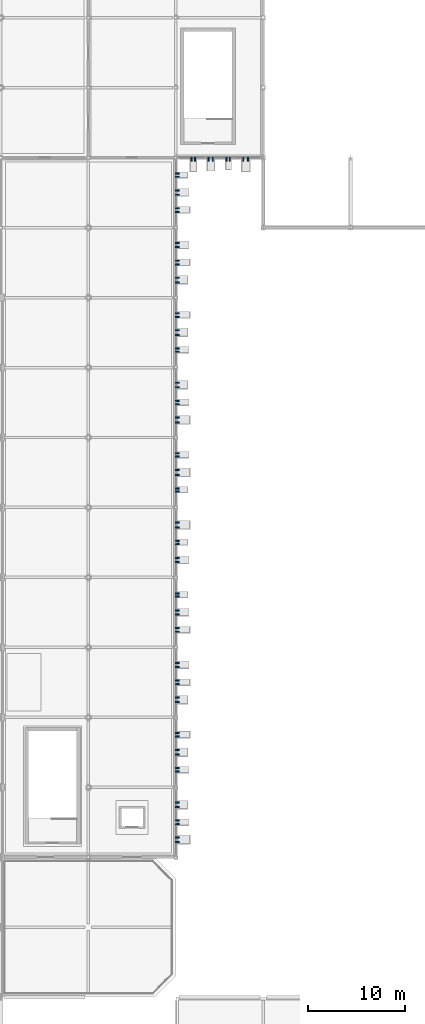
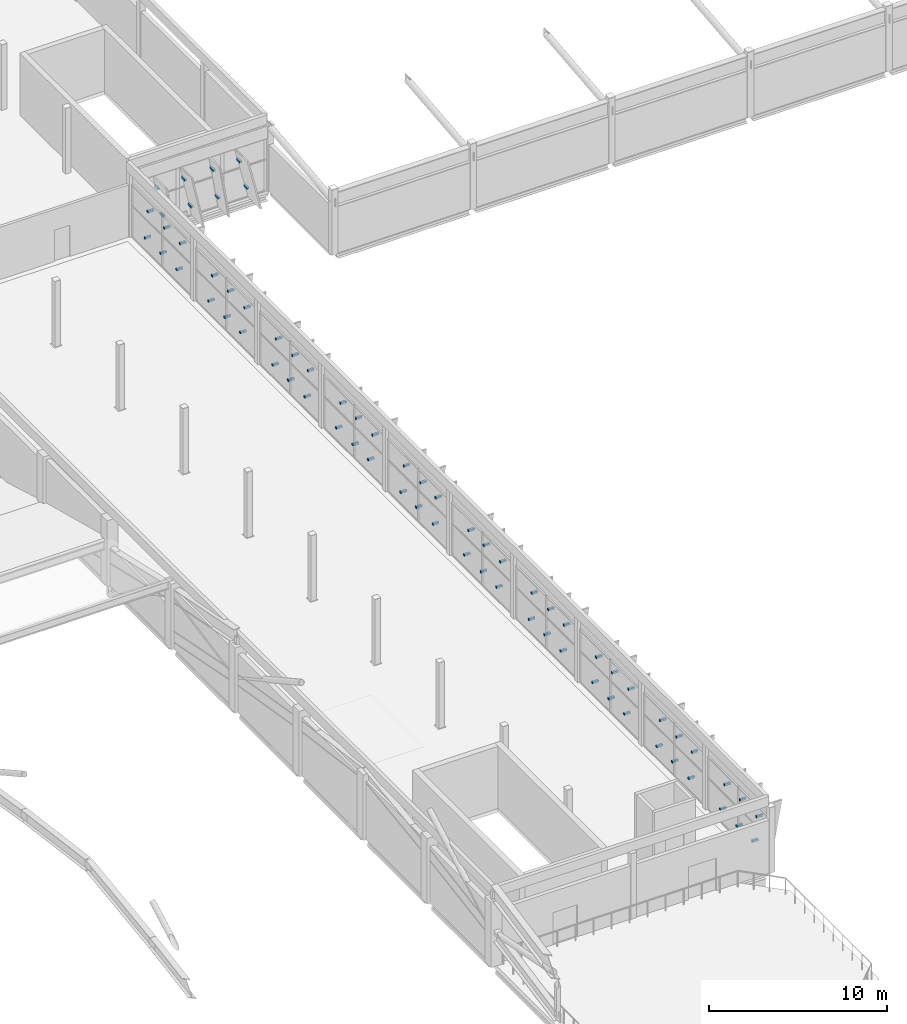
# One storey, part 110 of 124: 68 discrete accessories.
"""IFC4 building model written with IfcOpenShell, lengths in metres."""

from ifc_helpers import new_model, si_unit, direction, frame, origin, origin_2d, place, context, subcontext, project, spatial, rectangle, extrude, material, type_object, element, save


model = new_model("IFC4")

# Units and contexts
model_context = context("Model", 3, precision=1e-05, world=origin(), true_north=direction((0.0, 1.0)))
body_context = subcontext(model_context, "Body", "Model", "MODEL_VIEW")
ifc_project = project(units=[si_unit("LENGTHUNIT", "METRE"), si_unit("AREAUNIT", "SQUARE_METRE"), si_unit("VOLUMEUNIT", "CUBIC_METRE"), si_unit("PLANEANGLEUNIT", "RADIAN"), si_unit("MASSUNIT", "GRAM", prefix="KILO")], contexts=[model_context])

# Site, building, storey
site_placement = place(None, origin())
site = spatial("IfcSite", under=ifc_project, at=site_placement, CompositionType="ELEMENT")
building_placement = place(site_placement, origin())
building = spatial("IfcBuilding", under=site, at=building_placement, Name="Celestram Park Convention Centre", CompositionType="ELEMENT")
storey_placement = place(building_placement, frame((0.0, 0.0, 15.300048828125)))
storey = spatial("IfcBuildingStorey", under=building, at=storey_placement, Name="L03", CompositionType="ELEMENT", Elevation=15.300048828125)

# Discrete accessories
ifc_material = material(Name="Steel ASTM A500 Grade C", Category="steel")
discrete_accessory_type = type_object("IfcDiscreteAccessoryType", Name="ARC-BRK-OUT400", PredefinedType="BRACKET", material=ifc_material)
for number, where, z_axis, x_axis, name in (
    (1, (151.430419921875, 122.25, 0.7646484375), (0.0, 0.0, 1.0), (0.0, -1.0, 0.0), "Solar fin outrigger bracket BK-L03-1377"),
    (2, (150.944580078125, 122.25, 2.7431640625), (0.0, 0.0, 1.0), (0.0, -1.0, 0.0), "Solar fin outrigger bracket BK-L03-1378"),
    (3, (149.55029296875, 122.25, 0.74853515625), (0.0, 0.0, 1.0), (0.0, -1.0, 0.0), "Solar fin outrigger bracket BK-L03-1379"),
    (4, (149.224609375, 122.25, 2.75927734375), (0.0, 0.0, 1.0), (0.0, -1.0, 0.0), "Solar fin outrigger bracket BK-L03-1380"),
    (5, (147.801025390625, 122.25, 0.7578125), (0.0, 0.0, 1.0), (0.0, -1.0, 0.0), "Solar fin outrigger bracket BK-L03-1381"),
    (6, (147.3740234375, 122.25, 2.75), (0.0, 0.0, 1.0), (0.0, -1.0, 0.0), "Solar fin outrigger bracket BK-L03-1382"),
    (7, (145.971435546875, 122.25, 0.751953125), (0.0, 0.0, 1.0), (0.0, -1.0, 0.0), "Solar fin outrigger bracket BK-L03-1383"),
    (8, (145.603515625, 122.25, 2.755859375), (0.0, 0.0, 1.0), (0.0, -1.0, 0.0), "Solar fin outrigger bracket BK-L03-1384"),
    (9, (144.14990234375, 120.762939453125, 0.74853515625), (0.0, 0.0, 1.0), (1.0, 0.0, 0.0), "Solar fin outrigger bracket BK-L03-1385"),
    (10, (144.14990234375, 120.43701171875, 2.75927734375), (0.0, 0.0, 1.0), (1.0, 0.0, 0.0), "Solar fin outrigger bracket BK-L03-1386"),
    (11, (144.14990234375, 119.013427734375, 0.7578125), (0.0, 0.0, 1.0), (1.0, 0.0, 0.0), "Solar fin outrigger bracket BK-L03-1387"),
    (12, (144.14990234375, 118.58642578125, 2.75), (0.0, 0.0, 1.0), (1.0, 0.0, 0.0), "Solar fin outrigger bracket BK-L03-1388"),
    (13, (144.14990234375, 117.183837890625, 0.751953125), (0.0, 0.0, 1.0), (1.0, 0.0, 0.0), "Solar fin outrigger bracket BK-L03-1389"),
    (14, (144.14990234375, 116.816162109375, 2.755859375), (0.0, 0.0, 1.0), (1.0, 0.0, 0.0), "Solar fin outrigger bracket BK-L03-1390"),
    (15, (144.14990234375, 113.613525390625, 0.7578125), (0.0, 0.0, 1.0), (1.0, 0.0, 0.0), "Solar fin outrigger bracket BK-L03-1391"),
    (16, (144.14990234375, 113.1865234375, 2.75), (0.0, 0.0, 1.0), (1.0, 0.0, 0.0), "Solar fin outrigger bracket BK-L03-1392"),
    (17, (144.14990234375, 111.783935546875, 0.751953125), (0.0, 0.0, 1.0), (1.0, 0.0, 0.0), "Solar fin outrigger bracket BK-L03-1393"),
    (18, (144.14990234375, 111.416015625, 2.755859375), (0.0, 0.0, 1.0), (1.0, 0.0, 0.0), "Solar fin outrigger bracket BK-L03-1394"),
    (19, (144.14990234375, 110.0361328125, 0.76318359375), (0.0, 0.0, 1.0), (1.0, 0.0, 0.0), "Solar fin outrigger bracket BK-L03-1395"),
    (20, (144.14990234375, 109.56396484375, 2.7451171875), (0.0, 0.0, 1.0), (1.0, 0.0, 0.0), "Solar fin outrigger bracket BK-L03-1396"),
    (21, (144.14990234375, 106.3837890625, 0.751953125), (0.0, 0.0, 1.0), (1.0, 0.0, 0.0), "Solar fin outrigger bracket BK-L03-1397"),
    (22, (144.14990234375, 106.01611328125, 2.755859375), (0.0, 0.0, 1.0), (1.0, 0.0, 0.0), "Solar fin outrigger bracket BK-L03-1398"),
    (23, (144.14990234375, 104.635986328125, 0.76318359375), (0.0, 0.0, 1.0), (1.0, 0.0, 0.0), "Solar fin outrigger bracket BK-L03-1399"),
    (24, (144.14990234375, 104.163818359375, 2.7451171875), (0.0, 0.0, 1.0), (1.0, 0.0, 0.0), "Solar fin outrigger bracket BK-L03-1400"),
    (25, (144.14990234375, 102.7734375, 0.75), (0.0, 0.0, 1.0), (1.0, 0.0, 0.0), "Solar fin outrigger bracket BK-L03-1401"),
    (26, (144.14990234375, 102.426513671875, 2.7578125), (0.0, 0.0, 1.0), (1.0, 0.0, 0.0), "Solar fin outrigger bracket BK-L03-1402"),
    (27, (144.14990234375, 99.236083984375, 0.76318359375), (0.0, 0.0, 1.0), (1.0, 0.0, 0.0), "Solar fin outrigger bracket BK-L03-1403"),
    (28, (144.14990234375, 98.763916015625, 2.7451171875), (0.0, 0.0, 1.0), (1.0, 0.0, 0.0), "Solar fin outrigger bracket BK-L03-1404"),
    (29, (144.14990234375, 97.373291015625, 0.75), (0.0, 0.0, 1.0), (1.0, 0.0, 0.0), "Solar fin outrigger bracket BK-L03-1405"),
    (30, (144.14990234375, 97.026611328125, 2.7578125), (0.0, 0.0, 1.0), (1.0, 0.0, 0.0), "Solar fin outrigger bracket BK-L03-1406"),
    (31, (144.14990234375, 95.64306640625, 0.7646484375), (0.0, 0.0, 1.0), (1.0, 0.0, 0.0), "Solar fin outrigger bracket BK-L03-1407"),
    (32, (144.14990234375, 95.156982421875, 2.7431640625), (0.0, 0.0, 1.0), (1.0, 0.0, 0.0), "Solar fin outrigger bracket BK-L03-1408"),
    (33, (144.14990234375, 91.973388671875, 0.75), (0.0, 0.0, 1.0), (1.0, 0.0, 0.0), "Solar fin outrigger bracket BK-L03-1409"),
    (34, (144.14990234375, 91.626708984375, 2.7578125), (0.0, 0.0, 1.0), (1.0, 0.0, 0.0), "Solar fin outrigger bracket BK-L03-1410"),
    (35, (144.14990234375, 90.242919921875, 0.7646484375), (0.0, 0.0, 1.0), (1.0, 0.0, 0.0), "Solar fin outrigger bracket BK-L03-1411"),
    (36, (144.14990234375, 89.757080078125, 2.7431640625), (0.0, 0.0, 1.0), (1.0, 0.0, 0.0), "Solar fin outrigger bracket BK-L03-1412"),
    (37, (144.14990234375, 88.36279296875, 0.74853515625), (0.0, 0.0, 1.0), (1.0, 0.0, 0.0), "Solar fin outrigger bracket BK-L03-1413"),
    (38, (144.14990234375, 88.037109375, 2.75927734375), (0.0, 0.0, 1.0), (1.0, 0.0, 0.0), "Solar fin outrigger bracket BK-L03-1414"),
    (39, (144.14990234375, 84.843017578125, 0.7646484375), (0.0, 0.0, 1.0), (1.0, 0.0, 0.0), "Solar fin outrigger bracket BK-L03-1415"),
    (40, (144.14990234375, 84.35693359375, 2.7431640625), (0.0, 0.0, 1.0), (1.0, 0.0, 0.0), "Solar fin outrigger bracket BK-L03-1416"),
    (41, (144.14990234375, 82.962890625, 0.74853515625), (0.0, 0.0, 1.0), (1.0, 0.0, 0.0), "Solar fin outrigger bracket BK-L03-1417"),
    (42, (144.14990234375, 82.63720703125, 2.75927734375), (0.0, 0.0, 1.0), (1.0, 0.0, 0.0), "Solar fin outrigger bracket BK-L03-1418"),
    (43, (144.14990234375, 81.21337890625, 0.7578125), (0.0, 0.0, 1.0), (1.0, 0.0, 0.0), "Solar fin outrigger bracket BK-L03-1419"),
    (44, (144.14990234375, 80.78662109375, 2.75), (0.0, 0.0, 1.0), (1.0, 0.0, 0.0), "Solar fin outrigger bracket BK-L03-1420"),
    (45, (144.14990234375, 77.56298828125, 0.74853515625), (0.0, 0.0, 1.0), (1.0, 0.0, 0.0), "Solar fin outrigger bracket BK-L03-1421"),
    (46, (144.14990234375, 77.237060546875, 2.75927734375), (0.0, 0.0, 1.0), (1.0, 0.0, 0.0), "Solar fin outrigger bracket BK-L03-1422"),
    (47, (144.14990234375, 75.8134765625, 0.7578125), (0.0, 0.0, 1.0), (1.0, 0.0, 0.0), "Solar fin outrigger bracket BK-L03-1423"),
    (48, (144.14990234375, 75.386474609375, 2.75), (0.0, 0.0, 1.0), (1.0, 0.0, 0.0), "Solar fin outrigger bracket BK-L03-1424"),
    (49, (144.14990234375, 73.98388671875, 0.751953125), (0.0, 0.0, 1.0), (1.0, 0.0, 0.0), "Solar fin outrigger bracket BK-L03-1425"),
    (50, (144.14990234375, 73.6162109375, 2.755859375), (0.0, 0.0, 1.0), (1.0, 0.0, 0.0), "Solar fin outrigger bracket BK-L03-1426"),
    (51, (144.14990234375, 70.41357421875, 0.7578125), (0.0, 0.0, 1.0), (1.0, 0.0, 0.0), "Solar fin outrigger bracket BK-L03-1427"),
    (52, (144.14990234375, 69.986572265625, 2.75), (0.0, 0.0, 1.0), (1.0, 0.0, 0.0), "Solar fin outrigger bracket BK-L03-1428"),
    (53, (144.14990234375, 68.583984375, 0.751953125), (0.0, 0.0, 1.0), (1.0, 0.0, 0.0), "Solar fin outrigger bracket BK-L03-1429"),
    (54, (144.14990234375, 68.216064453125, 2.755859375), (0.0, 0.0, 1.0), (1.0, 0.0, 0.0), "Solar fin outrigger bracket BK-L03-1430"),
    (55, (144.14990234375, 66.836181640625, 0.76318359375), (0.0, 0.0, 1.0), (1.0, 0.0, 0.0), "Solar fin outrigger bracket BK-L03-1431"),
    (56, (144.14990234375, 66.364013671875, 2.7451171875), (0.0, 0.0, 1.0), (1.0, 0.0, 0.0), "Solar fin outrigger bracket BK-L03-1432"),
    (57, (144.14990234375, 63.183837890625, 0.751953125), (0.0, 0.0, 1.0), (1.0, 0.0, 0.0), "Solar fin outrigger bracket BK-L03-1433"),
    (58, (144.14990234375, 62.816162109375, 2.755859375), (0.0, 0.0, 1.0), (1.0, 0.0, 0.0), "Solar fin outrigger bracket BK-L03-1434"),
    (59, (144.14990234375, 61.43603515625, 0.76318359375), (0.0, 0.0, 1.0), (1.0, 0.0, 0.0), "Solar fin outrigger bracket BK-L03-1435"),
    (60, (144.14990234375, 60.9638671875, 2.7451171875), (0.0, 0.0, 1.0), (1.0, 0.0, 0.0), "Solar fin outrigger bracket BK-L03-1436"),
    (61, (144.14990234375, 59.573486328125, 0.75), (0.0, 0.0, 1.0), (1.0, 0.0, 0.0), "Solar fin outrigger bracket BK-L03-1437"),
    (62, (144.14990234375, 59.2265625, 2.7578125), (0.0, 0.0, 1.0), (1.0, 0.0, 0.0), "Solar fin outrigger bracket BK-L03-1438"),
    (63, (144.14990234375, 56.0361328125, 0.76318359375), (0.0, 0.0, 1.0), (1.0, 0.0, 0.0), "Solar fin outrigger bracket BK-L03-1439"),
    (64, (144.14990234375, 55.56396484375, 2.7451171875), (0.0, 0.0, 1.0), (1.0, 0.0, 0.0), "Solar fin outrigger bracket BK-L03-1440"),
    (65, (144.14990234375, 54.17333984375, 0.75), (0.0, 0.0, 1.0), (1.0, 0.0, 0.0), "Solar fin outrigger bracket BK-L03-1441"),
    (66, (144.14990234375, 53.82666015625, 2.7578125), (0.0, 0.0, 1.0), (1.0, 0.0, 0.0), "Solar fin outrigger bracket BK-L03-1442"),
    (67, (144.14990234375, 52.443115234375, 0.7646484375), (0.0, 0.0, 1.0), (1.0, 0.0, 0.0), "Solar fin outrigger bracket BK-L03-1443"),
    (68, (144.14990234375, 51.95703125, 2.7431640625), (0.0, 0.0, 1.0), (1.0, 0.0, 0.0), "Solar fin outrigger bracket BK-L03-1444"),
):
    element("IfcDiscreteAccessory", number, at=place(storey_placement, frame(where, z_axis=z_axis, x_axis=x_axis)), inside=storey, type_object=discrete_accessory_type, Name=name, PredefinedType="BRACKET", context=body_context, shape_type="SweptSolid", body=[
        extrude(rectangle(XDim=0.39990234375, YDim=0.139892578125, at=origin_2d()), origin(), (0.0, 0.0, 1.0), 0.139892578125),
    ])

save(model, "model.ifc")
